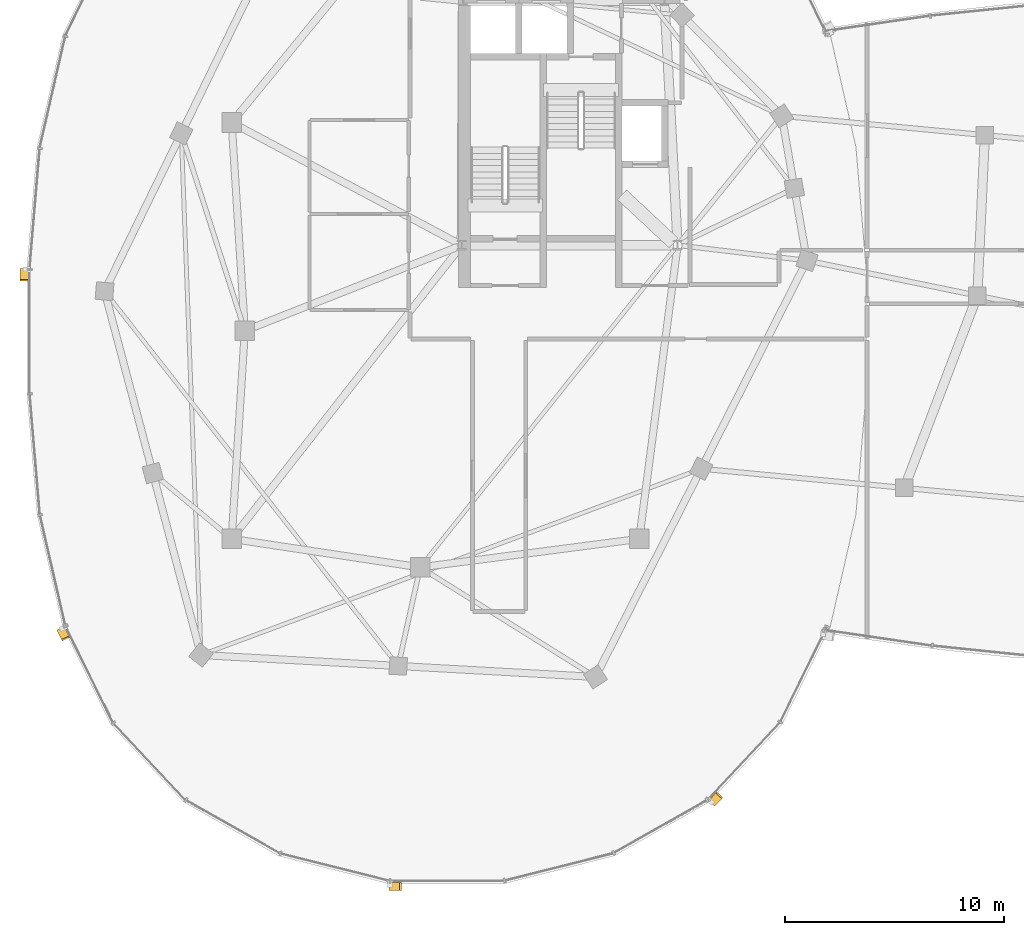
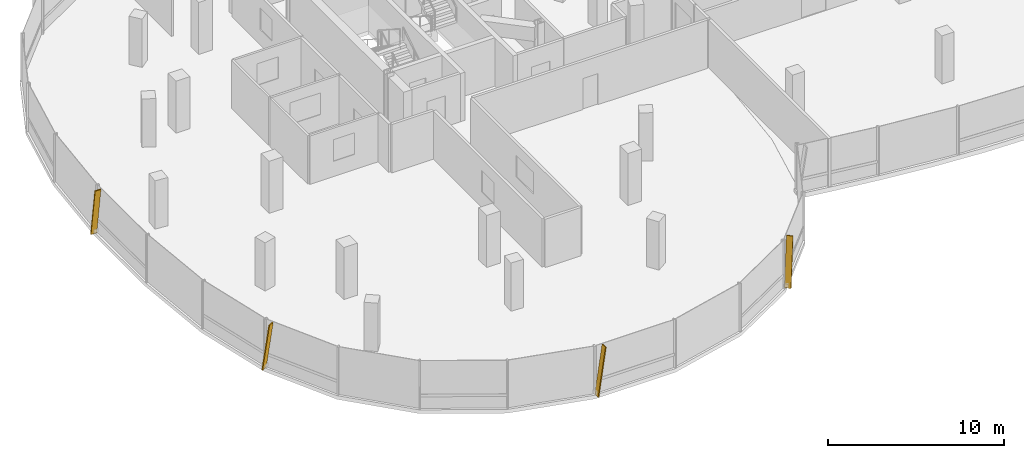
# One storey, part 20 of 25: 4 shading devices.
"""IFC4 building model written with IfcOpenShell, lengths in metres."""

from ifc_helpers import new_model, si_unit, direction, frame, origin, origin_2d, place, context, subcontext, project, spatial, rectangle, extrude, material, material_profile, profile_set, type_object, element, save


model = new_model("IFC4")

# Units and contexts
model_context = context("Model", 3, precision=1e-05, world=origin(), true_north=direction((0.0, 1.0)))
body_context = subcontext(model_context, "Body", "Model", "MODEL_VIEW")
ifc_project = project(units=[si_unit("LENGTHUNIT", "METRE"), si_unit("AREAUNIT", "SQUARE_METRE"), si_unit("VOLUMEUNIT", "CUBIC_METRE"), si_unit("PLANEANGLEUNIT", "RADIAN"), si_unit("MASSUNIT", "GRAM", prefix="KILO"), si_unit("THERMODYNAMICTEMPERATUREUNIT", "KELVIN"), si_unit("POWERUNIT", "WATT")], contexts=[model_context])

# Site, building, storey
site_placement = place(None, origin())
site = spatial("IfcSite", under=ifc_project, at=site_placement, CompositionType="ELEMENT")
building_placement = place(site_placement, origin())
building = spatial("IfcBuilding", under=site, at=building_placement, Name="Cundina Bronze Exchange", CompositionType="ELEMENT")
storey_placement = place(building_placement, frame((0.0, 0.0, 272.0)))
storey = spatial("IfcBuildingStorey", under=building, at=storey_placement, Name="L72", CompositionType="ELEMENT", Elevation=272.0)

# Shading devices
ifc_material = material(Name="Anodised Bronze Aluminium 6063-T6", Category="aluminium")
ifc_material_profile = material_profile(ifc_material, rectangle(XDim=0.070068359375, YDim=0.3798828125, at=origin_2d()), Name="FIN70X380", Category="aluminium")
ifc_profile_set = profile_set([ifc_material_profile], Name="Anodised Bronze Aluminium 6063-T6")
shading_device_type = type_object("IfcShadingDeviceType", Name="SHD-FIN-BRZ380", PredefinedType="USERDEFINED", material=ifc_profile_set)
for number, where, z_axis, x_axis, name in (
    (1, (-51.26904296875, 2.79150390625, 0.02001953125), (0.0, -0.143932024572, 0.989587576874), (0.0, 0.989587576874, 0.143932024572), "L72 Diagonal Bronze Solar Fin 5"),
    (2, (-49.593505859375, -13.614013671875, 0.02001953125), (0.063400368732, -0.129216686851, 0.989587510574), (-0.435900311632, 0.888411143223, 0.143932480407), "L72 Diagonal Bronze Solar Fin 1"),
    (3, (-34.576416015625, -25.360107421875, 0.02001953125), (0.143932024572, 0.0, 0.989587576874), (-0.989587576874, 0.0, 0.143932024572), "L72 Diagonal Bronze Solar Fin 5"),
    (4, (-19.877685546875, -21.55078125, 0.02001953125), (0.098541444371, 0.10491076507, 0.989587446926), (-0.677505727677, -0.721296959704, 0.143932918008), "L72 Diagonal Bronze Solar Fin 1"),
):
    element("IfcShadingDevice", number, at=place(storey_placement, frame(where, z_axis=z_axis, x_axis=x_axis)), inside=storey, type_object=shading_device_type, Name=name, ObjectType="FIN", PredefinedType="USERDEFINED", context=body_context, shape_type="SweptSolid", body=[
        extrude(rectangle(XDim=0.070068359375, YDim=0.3798828125, at=origin_2d()), origin(), (0.0, 0.0, 1.0), 3.334716796875),
    ])

save(model, "model.ifc")
